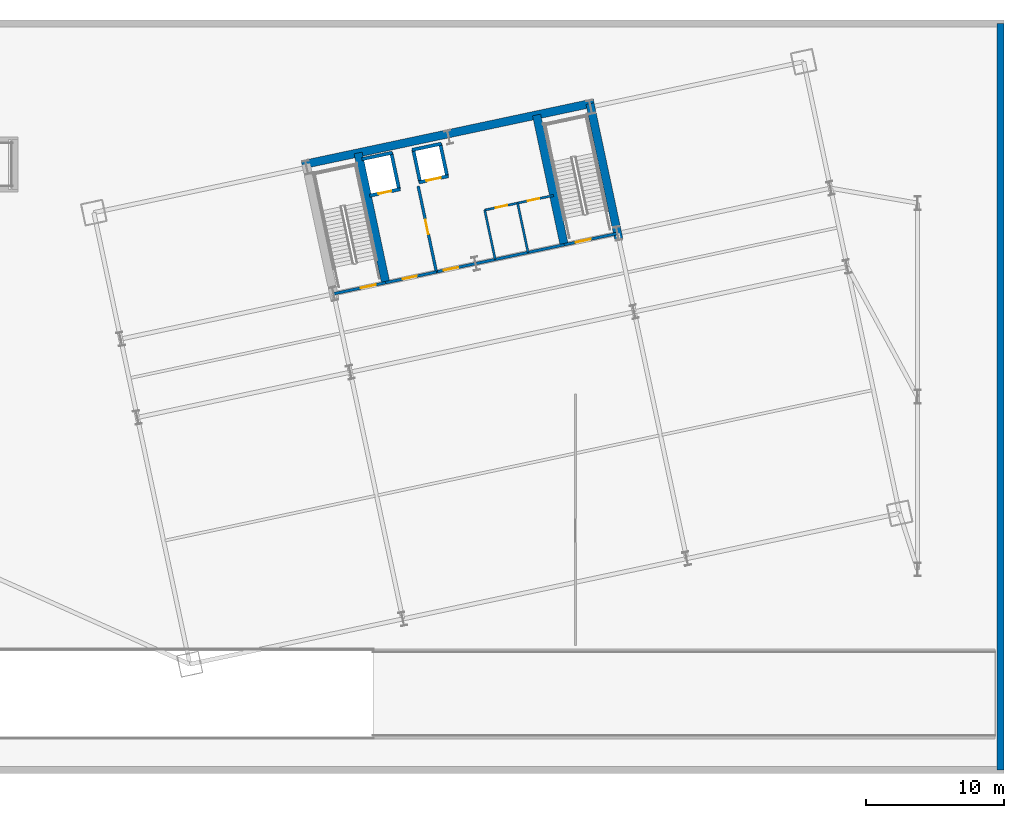
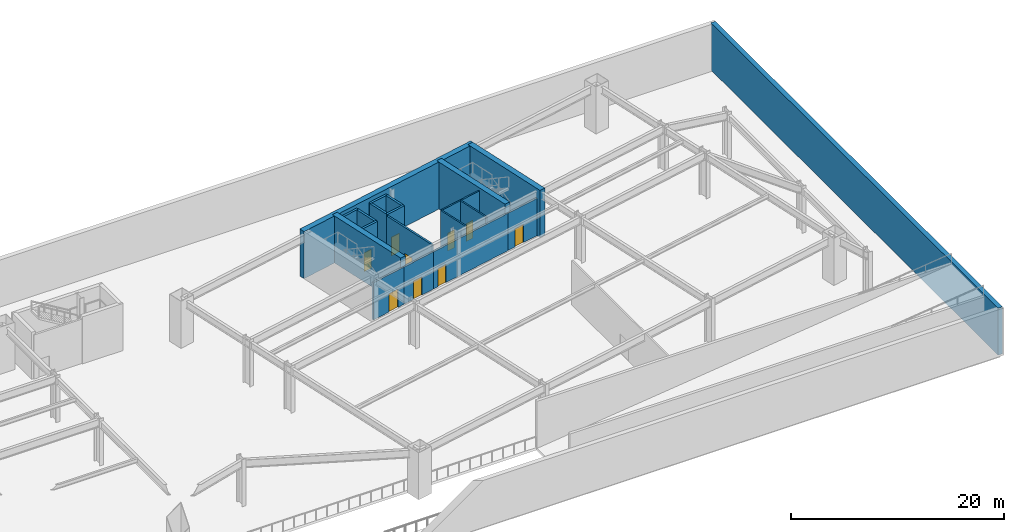
# One storey, part 10 of 16: 20 walls, 9 doors, 9 openings.
"""IFC4 building model written with IfcOpenShell, lengths in metres."""

import ifcopenshell
import ifcopenshell.guid

model = None  # the IFC model being written
_history = None  # IfcOwnerHistory: only IFC2X3 demands one
_inside = {}  # id of a spatial element -> (the spatial element, [elements in it])
_under = {}  # id of a project, library or spatial element -> (it, [spatial elements below it])
_declared = {}  # id of a project -> (the project, [libraries it declares])
_typed = {}  # id of a type object -> (the type object, [elements of that type])
_made_of = {}  # id of a material, layer set ... -> (it, [elements and type objects made of it])


def new_model(schema):
    """Start an empty IFC model of exactly this schema.

    Asked for "IFC4X3", IfcOpenShell would pick the latest addendum, in which some entities
    have other attributes; the version numbers below select the first issue.
    IFC2X3 requires an IfcOwnerHistory on every rooted entity: one is made here for all.
    """
    global model, _history
    if schema == "IFC4X3":
        model = ifcopenshell.file(schema_version=(4, 3, 0, 0))
    else:
        model = ifcopenshell.file(schema=schema)
    _inside.clear()
    _under.clear()
    _declared.clear()
    _typed.clear()
    _made_of.clear()
    _history = None
    if model.schema == "IFC2X3":
        org = make("IfcOrganization", Name="unknown")
        user = make(
            "IfcPersonAndOrganization",
            ThePerson=make("IfcPerson", FamilyName="unknown"),
            TheOrganization=org,
        )
        app = make(
            "IfcApplication",
            ApplicationDeveloper=org,
            Version="unknown",
            ApplicationFullName="unknown",
            ApplicationIdentifier="unknown",
        )
        _history = make(
            "IfcOwnerHistory",
            OwningUser=user,
            OwningApplication=app,
            ChangeAction="ADDED",
            CreationDate=0,
        )
    return model


def make(cls, **values):
    """One entity of the class cls with the attributes given. An attribute that is None is left unset."""
    return model.create_entity(
        cls, **{name: value for name, value in values.items() if value is not None}
    )


def rooted(cls, **values):
    """An entity with a GlobalId (a new one), such as an element, a storey or a relation."""
    return make(cls, GlobalId=ifcopenshell.guid.new(), OwnerHistory=_history, **values)


def si_unit(unit_type, name, prefix=None):
    """IfcSIUnit, for example si_unit("LENGTHUNIT", "METRE", prefix="MILLI")."""
    return make("IfcSIUnit", UnitType=unit_type, Prefix=prefix, Name=name)


def assignment(units):
    """IfcUnitAssignment: the units of a project."""
    return None if units is None else make("IfcUnitAssignment", Units=units)


def point(xyz):
    """IfcCartesianPoint."""
    return None if xyz is None else make("IfcCartesianPoint", Coordinates=xyz)


def direction(xyz):
    """IfcDirection."""
    return None if xyz is None else make("IfcDirection", DirectionRatios=xyz)


def frame(location, z_axis=None, x_axis=None):
    """IfcAxis2Placement3D, a coordinate frame: its origin and axes. An axis left out is left unset."""
    return make(
        "IfcAxis2Placement3D",
        Location=point(location),
        Axis=direction(z_axis),
        RefDirection=direction(x_axis),
    )


def frame_2d(location, x_axis=None):
    """IfcAxis2Placement2D, a coordinate frame in the plane: its origin and x axis."""
    return make(
        "IfcAxis2Placement2D", Location=point(location), RefDirection=direction(x_axis)
    )


def origin():
    """The frame at (0, 0, 0) with its axes left unset."""
    return frame((0.0, 0.0, 0.0))


def place(relative_to, where):
    """IfcLocalPlacement: puts the frame where relative to a parent placement (None: the world)."""
    return make(
        "IfcLocalPlacement", PlacementRelTo=relative_to, RelativePlacement=where
    )


def context(
    kind, dimensions, precision=None, world=None, true_north=None, identifier=None
):
    """IfcGeometricRepresentationContext, for example the 3D "Model" context."""
    return make(
        "IfcGeometricRepresentationContext",
        ContextIdentifier=identifier,
        ContextType=kind,
        CoordinateSpaceDimension=dimensions,
        Precision=precision,
        WorldCoordinateSystem=world,
        TrueNorth=true_north,
    )


def subcontext(parent, identifier, kind, view, scale=None):
    """IfcGeometricRepresentationSubContext, for example "Body" below "Model"."""
    return make(
        "IfcGeometricRepresentationSubContext",
        ContextIdentifier=identifier,
        ContextType=kind,
        ParentContext=parent,
        TargetScale=scale,
        TargetView=view,
    )


def project(units=None, contexts=None):
    """IfcProject with its units and contexts."""
    return rooted(
        "IfcProject",
        Name="project",
        RepresentationContexts=contexts,
        UnitsInContext=assignment(units),
    )


def spatial(cls, under=None, at=None, **own):
    """A site, building, storey or space (cls), placed at a placement, below another one or the project."""
    s = rooted(cls, ObjectPlacement=at, **own)
    if under is not None:
        _under.setdefault(under.id(), (under, []))[1].append(s)
    return s


def profile(cls, at=None, kind="AREA", **sizes):
    """A parametric profile (cls). Its sizes go by their IFC names, for example OverallWidth=200.0."""
    return make(cls, ProfileType=kind, Position=at, **sizes)


def rectangle(**sizes):
    """IfcRectangleProfileDef."""
    return profile("IfcRectangleProfileDef", **sizes)


def extrude(swept, where, along, depth):
    """IfcExtrudedAreaSolid: the profile swept, set in the frame where, extruded along a direction by depth."""
    return make(
        "IfcExtrudedAreaSolid",
        SweptArea=swept,
        Position=where,
        ExtrudedDirection=direction(along),
        Depth=depth,
    )


def shape(context_of_items, identifier, shape_type, items):
    """IfcShapeRepresentation: the items that make up one representation, for example the "Body"."""
    return make(
        "IfcShapeRepresentation",
        ContextOfItems=context_of_items,
        RepresentationIdentifier=identifier,
        RepresentationType=shape_type,
        Items=items,
    )


def material(Name=None, Category=None):
    """IfcMaterial."""
    return make("IfcMaterial", Name=Name, Category=Category)


def layer(
    of_material, thickness, ventilated=None, Name=None, Category=None, Priority=None
):
    """IfcMaterialLayer: one layer of a wall or slab, of a material (None: an air gap)."""
    return make(
        "IfcMaterialLayer",
        Material=of_material,
        LayerThickness=thickness,
        IsVentilated=ventilated,
        Name=Name,
        Category=Category,
        Priority=Priority,
    )


def layer_set(layers, Name=None):
    """IfcMaterialLayerSet."""
    return make("IfcMaterialLayerSet", MaterialLayers=layers, LayerSetName=Name)


def made_of(thing, what):
    """Note that an element or type object is made of a material, layer set ...; save() writes the relation."""
    if what is not None:
        _made_of.setdefault(what.id(), (what, []))[1].append(thing)
    return thing


def type_object(cls, material=None, **own):
    """A type object (cls), such as IfcWallType, which elements share."""
    return made_of(rooted(cls, **own), material)


def element(
    cls,
    number,
    at=None,
    inside=None,
    cuts=None,
    type_object=None,
    material=None,
    context=None,
    identifier="Body",
    shape_type=None,
    held_by="IfcProductDefinitionShape",
    body=None,
    shapes=None,
    **own,
):
    """One element of the class cls, such as IfcWall. Its Tag is "e" and its number.

    at: its placement. inside: the storey or other place that contains it. cuts: it is an
    opening in that element (IfcRelVoidsElement). A single representation is given by context,
    identifier, shape_type and body (its items); several are given by shapes. held_by: the class
    of the entity that holds the representations. save() writes the other relations.
    """
    e = rooted(cls, Tag="e%d" % number, ObjectPlacement=at, **own)
    if body is not None:
        shapes = [shape(context, identifier, shape_type, body)]
    if shapes is not None:
        e.Representation = make(held_by, Representations=shapes)
    if inside is not None:
        _inside.setdefault(inside.id(), (inside, []))[1].append(e)
    if cuts is not None:
        rooted(
            "IfcRelVoidsElement", RelatingBuildingElement=cuts, RelatedOpeningElement=e
        )
    if type_object is not None:
        _typed.setdefault(type_object.id(), (type_object, []))[1].append(e)
    return made_of(e, material)


def fill(opening, filler):
    """IfcRelFillsElement: the door or window that sits in an opening."""
    return rooted(
        "IfcRelFillsElement",
        RelatingOpeningElement=opening,
        RelatedBuildingElement=filler,
    )


def aggregate(whole, parts):
    """IfcRelAggregates: a whole, such as a stair, and the parts it consists of."""
    return rooted("IfcRelAggregates", RelatingObject=whole, RelatedObjects=parts)


def save(model, path):
    """Write the relations noted so far, then the file.

    IfcRelAggregates (storeys below a building ...), IfcRelContainedInSpatialStructure (elements
    in a storey), IfcRelDefinesByType, IfcRelAssociatesMaterial and IfcRelDeclares: one each for
    every whole, place, type object, material and project.
    """
    for whole, parts in _under.values():
        aggregate(whole, parts)
    for where, things in _inside.values():
        rooted(
            "IfcRelContainedInSpatialStructure",
            RelatedElements=things,
            RelatingStructure=where,
        )
    for kind, things in _typed.values():
        rooted("IfcRelDefinesByType", RelatedObjects=things, RelatingType=kind)
    for what, things in _made_of.values():
        rooted("IfcRelAssociatesMaterial", RelatedObjects=things, RelatingMaterial=what)
    for by, libraries in _declared.values():
        rooted("IfcRelDeclares", RelatingContext=by, RelatedDefinitions=libraries)
    model.write(path)


model = new_model("IFC4")

# Units and contexts
model_context = context("Model", 3, precision=1e-05, world=origin(), true_north=direction((0.0, 1.0)))
body_context = subcontext(model_context, "Body", "Model", "MODEL_VIEW")
ifc_project = project(units=[si_unit("LENGTHUNIT", "METRE"), si_unit("AREAUNIT", "SQUARE_METRE"), si_unit("VOLUMEUNIT", "CUBIC_METRE"), si_unit("PLANEANGLEUNIT", "RADIAN"), si_unit("MASSUNIT", "GRAM", prefix="KILO")], contexts=[model_context])

# Site, building, storey
site_placement = place(None, origin())
site = spatial("IfcSite", under=ifc_project, at=site_placement, CompositionType="ELEMENT")
building_placement = place(site_placement, origin())
building = spatial("IfcBuilding", under=site, at=building_placement, Name="Haevon Station Towers", CompositionType="ELEMENT")
storey_placement = place(building_placement, frame((0.0, 0.0, -5.39990234375)))
storey = spatial("IfcBuildingStorey", under=building, at=storey_placement, Name="B01", CompositionType="ELEMENT", Elevation=-5.39990234375)

# Wall, opening, door
ifc_material_1 = material(Name="Gypsum board on steel stud", Category="steel")
ifc_layer_1 = layer(ifc_material_1, 0.199951171875)
ifc_layer_set_1 = layer_set([ifc_layer_1], Name="Gypsum board on steel stud")
wall_type_1 = type_object("IfcWallType", Name="WL-COR200", PredefinedType="PARTITIONING", material=ifc_layer_set_1)
wall_1_placement = place(storey_placement, frame((98.75244140625, 37.4423828125, 0.0), z_axis=(0.0, 0.0, 1.0), x_axis=(0.978143537786, 0.207930804564, 0.0)))
wall_1 = element("IfcWall", 1, at=wall_1_placement, inside=storey, type_object=wall_type_1, Name="WL-ST-ST3-B01", PredefinedType="PARTITIONING", context=body_context, shape_type="SweptSolid", body=[
    extrude(rectangle(XDim=3.85009765625, YDim=0.199951171875, at=frame_2d((1.925048828125, 0.0))), origin(), (0.0, 0.0, 1.0), 4.27978515625),
])
opening_1_placement = place(wall_1_placement, frame((2.0, 0.0, 0.0)))
opening_1 = element("IfcOpeningElement", 2, at=opening_1_placement, cuts=wall_1, Name="Opening DR-ST-ST3-B01", PredefinedType="OPENING", context=body_context, shape_type="SweptSolid", body=[
    extrude(rectangle(XDim=1.1201171875, YDim=2.10009765625, at=frame_2d((0.56005859375, 1.050048828125))), frame((0.0, 0.10986328125, 0.0), z_axis=(0.0, -1.0, 0.0), x_axis=(1.0, 0.0, 0.0)), (0.0, 0.0, 1.0), 0.219970703125),
])
ifc_material_2 = material(Name="Engineered oak timber", Category="wood")
door_type_1 = type_object("IfcDoorType", Name="DR-ST-1120", OperationType="NOTDEFINED", PredefinedType="DOOR", material=ifc_material_2)
door_1_placement = place(opening_1_placement, origin())
door_1 = element("IfcDoor", 3, at=door_1_placement, inside=storey, type_object=door_type_1, Name="B01 Escape Stair ST3 Fire Door", OperationType="SINGLE_SWING_RIGHT", OverallHeight=2.10009765625, OverallWidth=1.1201171875, PredefinedType="DOOR", context=body_context, shape_type="SweptSolid", body=[
    extrude(rectangle(XDim=1.1201171875, YDim=2.10009765625, at=frame_2d((0.56005859375, 1.050048828125))), frame((0.0, 0.02490234375, 0.0), z_axis=(0.0, -1.0, 0.0), x_axis=(1.0, 0.0, 0.0)), (0.0, 0.0, 1.0), 0.050048828125),
])
fill(opening_1, door_1)

wall_2_placement = place(storey_placement, frame((115.4296875, 40.9873046875, 0.0), z_axis=(0.0, 0.0, 1.0), x_axis=(0.978146596989, 0.207916413008, 0.0)))
wall_2 = element("IfcWall", 4, at=wall_2_placement, inside=storey, type_object=wall_type_1, Name="WL-ST-ST4-B01", PredefinedType="PARTITIONING", context=body_context, shape_type="SweptSolid", body=[
    extrude(rectangle(XDim=3.9501953125, YDim=0.199951171875, at=frame_2d((1.97509765625, 0.0))), origin(), (0.0, 0.0, 1.0), 4.27978515625),
])
opening_2_placement = place(wall_2_placement, frame((0.85009765625, 0.0, 0.0)))
opening_2 = element("IfcOpeningElement", 5, at=opening_2_placement, cuts=wall_2, Name="Opening DR-ST-ST4-B01", PredefinedType="OPENING", context=body_context, shape_type="SweptSolid", body=[
    extrude(rectangle(XDim=1.1201171875, YDim=2.10009765625, at=frame_2d((0.56005859375, 1.050048828125))), frame((0.0, 0.10986328125, 0.0), z_axis=(0.0, -1.0, 0.0), x_axis=(1.0, 0.0, 0.0)), (0.0, 0.0, 1.0), 0.219970703125),
])
door_2_placement = place(opening_2_placement, origin())
door_2 = element("IfcDoor", 6, at=door_2_placement, inside=storey, type_object=door_type_1, Name="B01 Escape Stair ST4 Fire Door", OperationType="SINGLE_SWING_LEFT", OverallHeight=2.10009765625, OverallWidth=1.1201171875, PredefinedType="DOOR", context=body_context, shape_type="SweptSolid", body=[
    extrude(rectangle(XDim=1.1201171875, YDim=2.10009765625, at=frame_2d((0.56005859375, 1.050048828125))), frame((0.0, 0.02490234375, 0.0), z_axis=(0.0, -1.0, 0.0), x_axis=(1.0, 0.0, 0.0)), (0.0, 0.0, 1.0), 0.050048828125),
])
fill(opening_2, door_2)

wall_3_placement = place(storey_placement, frame((106.186279296875, 39.0224609375, 0.0), z_axis=(0.0, 0.0, 1.0), x_axis=(-0.207916691923, 0.978146537703, 0.0)))
wall_3 = element("IfcWall", 7, at=wall_3_placement, inside=storey, type_object=wall_type_1, Name="WL-T2FFL-B01-E", PredefinedType="PARTITIONING", context=body_context, shape_type="SweptSolid", body=[
    extrude(rectangle(XDim=6.35009765625, YDim=0.199951171875, at=frame_2d((3.175048828125, 0.0))), origin(), (0.0, 0.0, 1.0), 5.079833984375),
])
opening_3_placement = place(wall_3_placement, frame((2.800048828125, 0.0, 0.0)))
opening_3 = element("IfcOpeningElement", 8, at=opening_3_placement, cuts=wall_3, Name="Opening DR-T2FFL-B01-E", PredefinedType="OPENING", context=body_context, shape_type="SweptSolid", body=[
    extrude(rectangle(XDim=1.050048828125, YDim=2.10009765625, at=frame_2d((0.52490234375, 1.050048828125))), frame((0.0, 0.10986328125, 0.0), z_axis=(0.0, -1.0, 0.0), x_axis=(1.0, 0.0, 0.0)), (0.0, 0.0, 1.0), 0.219970703125),
])
door_type_2 = type_object("IfcDoorType", Name="DR-FD60-1050", OperationType="NOTDEFINED", PredefinedType="DOOR", material=ifc_material_2)
door_3_placement = place(opening_3_placement, origin())
door_3 = element("IfcDoor", 9, at=door_3_placement, inside=storey, type_object=door_type_2, Name="B01 Tower 2 Firefighting Lift Lobby Door E", OperationType="SINGLE_SWING_RIGHT", OverallHeight=2.10009765625, OverallWidth=1.050048828125, PredefinedType="DOOR", context=body_context, shape_type="SweptSolid", body=[
    extrude(rectangle(XDim=1.050048828125, YDim=2.10009765625, at=frame_2d((0.52490234375, 1.050048828125))), frame((0.0, 0.02490234375, 0.0), z_axis=(0.0, -1.0, 0.0), x_axis=(1.0, 0.0, 0.0)), (0.0, 0.0, 1.0), 0.050048828125),
])
fill(opening_3, door_3)

wall_4_placement = place(storey_placement, frame((102.518310546875, 38.242919921875, 0.0), z_axis=(0.0, 0.0, 1.0), x_axis=(0.978153555683, 0.20788367301, 0.0)))
wall_4 = element("IfcWall", 10, at=wall_4_placement, inside=storey, type_object=wall_type_1, Name="WL-T2FFL-B01-S", PredefinedType="PARTITIONING", context=body_context, shape_type="SweptSolid", body=[
    extrude(rectangle(XDim=3.75, YDim=0.199951171875, at=frame_2d((1.875, 0.0))), origin(), (0.0, 0.0, 1.0), 4.27978515625),
])
opening_4_placement = place(wall_4_placement, frame((1.25, 0.0, 0.0)))
opening_4 = element("IfcOpeningElement", 11, at=opening_4_placement, cuts=wall_4, Name="Opening DR-T2FFL-B01-S", PredefinedType="OPENING", context=body_context, shape_type="SweptSolid", body=[
    extrude(rectangle(XDim=1.050048828125, YDim=2.10009765625, at=frame_2d((0.52490234375, 1.050048828125))), frame((0.0, 0.10986328125, 0.0), z_axis=(0.0, -1.0, 0.0), x_axis=(1.0, 0.0, 0.0)), (0.0, 0.0, 1.0), 0.219970703125),
])
door_4_placement = place(opening_4_placement, origin())
door_4 = element("IfcDoor", 12, at=door_4_placement, inside=storey, type_object=door_type_2, Name="B01 Tower 2 Firefighting Lift Lobby Door S", OperationType="SINGLE_SWING_LEFT", OverallHeight=2.10009765625, OverallWidth=1.050048828125, PredefinedType="DOOR", context=body_context, shape_type="SweptSolid", body=[
    extrude(rectangle(XDim=1.050048828125, YDim=2.10009765625, at=frame_2d((0.52490234375, 1.050048828125))), frame((0.0, 0.02490234375, 0.0), z_axis=(0.0, -1.0, 0.0), x_axis=(1.0, 0.0, 0.0)), (0.0, 0.0, 1.0), 0.050048828125),
])
fill(opening_4, door_4)

wall_5_placement = place(storey_placement, frame((106.186279296875, 39.0224609375, 0.0), z_axis=(0.0, 0.0, 1.0), x_axis=(0.978145519981, 0.20792147975, 0.0)))
wall_5 = element("IfcWall", 13, at=wall_5_placement, inside=storey, type_object=wall_type_1, Name="WL-T2CLB-B01", PredefinedType="PARTITIONING", context=body_context, shape_type="SweptSolid", body=[
    extrude(rectangle(XDim=9.449951171875, YDim=0.199951171875, at=frame_2d((4.72509765625, 0.0))), origin(), (0.0, 0.0, 1.0), 4.27978515625),
])
opening_5_placement = place(wall_5_placement, frame((0.550048828125, 0.0, 0.0)))
opening_5 = element("IfcOpeningElement", 14, at=opening_5_placement, cuts=wall_5, Name="Opening DR-T2CLB-B01-1", PredefinedType="OPENING", context=body_context, shape_type="SweptSolid", body=[
    extrude(rectangle(XDim=1.050048828125, YDim=2.10009765625, at=frame_2d((0.52490234375, 1.050048828125))), frame((0.0, 0.10986328125, 0.0), z_axis=(0.0, -1.0, 0.0), x_axis=(1.0, 0.0, 0.0)), (0.0, 0.0, 1.0), 0.219970703125),
])
door_5_placement = place(opening_5_placement, origin())
door_5 = element("IfcDoor", 15, at=door_5_placement, inside=storey, type_object=door_type_2, Name="B01 Tower 2 Core Lift Lobby Door 1", OperationType="SINGLE_SWING_RIGHT", OverallHeight=2.10009765625, OverallWidth=1.050048828125, PredefinedType="DOOR", context=body_context, shape_type="SweptSolid", body=[
    extrude(rectangle(XDim=1.050048828125, YDim=2.10009765625, at=frame_2d((0.52490234375, 1.050048828125))), frame((0.0, 0.02490234375, 0.0), z_axis=(0.0, -1.0, 0.0), x_axis=(1.0, 0.0, 0.0)), (0.0, 0.0, 1.0), 0.050048828125),
])
fill(opening_5, door_5)

# Walls
ifc_material_3 = material(Name="Concrete C60/75", Category="concrete")
ifc_layer_2 = layer(ifc_material_3, 0.60009765625)
ifc_layer_set_2 = layer_set([ifc_layer_2], Name="Concrete C60/75")
wall_type_2 = type_object("IfcWallType", Name="WL-CR600", PredefinedType="SHEAR", material=ifc_layer_set_2)
wall_6_placement = place(storey_placement, frame((96.462890625, 46.770263671875, 0.0), z_axis=(0.0, 0.0, 1.0), x_axis=(0.978147272959, 0.207913232873, 0.0)))
element("IfcWall", 16, at=wall_6_placement, inside=storey, type_object=wall_type_2, Name="WL-T2CR-B01-N", PredefinedType="SHEAR", context=body_context, shape_type="SweptSolid", body=[
    extrude(rectangle(XDim=21.60009765625, YDim=0.60009765625, at=frame_2d((10.800048828125, 0.0))), origin(), (0.0, 0.0, 1.0), 5.39990234375),
])
wall_7_placement = place(storey_placement, frame((119.401611328125, 41.2998046875, 0.0), z_axis=(0.0, 0.0, 1.0), x_axis=(-0.207904342798, 0.978149162575, 0.0)))
element("IfcWall", 17, at=wall_7_placement, inside=storey, type_object=wall_type_2, Name="WL-T2CR-B01-E", PredefinedType="SHEAR", context=body_context, shape_type="SweptSolid", body=[
    extrude(rectangle(XDim=10.1201171875, YDim=0.60009765625, at=frame_2d((5.06005859375, 0.0))), origin(), (0.0, 0.0, 1.0), 5.39990234375),
])
for number, where, z_axis, x_axis, name in (
    (18, (102.518310546875, 38.242919921875, 0.0), (0.0, 0.0, 1.0), (-0.207927495108, 0.978144241295, 0.0), "WL-T2CR-B01-M1"),
    (19, (115.4296875, 40.9873046875, 0.0), (0.0, 0.0, 1.0), (-0.207903162969, 0.978149413345, 0.0), "WL-T2CR-B01-M2"),
):
    element("IfcWall", number, at=place(storey_placement, frame(where, z_axis=z_axis, x_axis=x_axis)), inside=storey, type_object=wall_type_2, Name=name, PredefinedType="SHEAR", context=body_context, shape_type="SweptSolid", body=[
        extrude(rectangle(XDim=9.599853515625, YDim=0.60009765625, at=frame_2d((4.7998046875, 0.0))), origin(), (0.0, 0.0, 1.0), 5.39990234375),
    ])
ifc_layer_3 = layer(ifc_material_1, 0.159912109375)
ifc_layer_set_3 = layer_set([ifc_layer_3], Name="Gypsum board on steel stud")
wall_type_3 = type_object("IfcWallType", Name="WL-PRT160", PredefinedType="PARTITIONING", material=ifc_layer_set_3)
for number, where, z_axis, x_axis, name in (
    (20, (110.441162109375, 39.927001953125, 0.0), (0.0, 0.0, 1.0), (-0.207884354546, 0.978153410838, 0.0), "WL-T2CW-B01-01"),
    (21, (112.818115234375, 40.43212890625, 0.0), (0.0, 0.0, 1.0), (-0.207884354546, 0.978153410838, 0.0), "WL-T2CW-B01-02"),
):
    element("IfcWall", number, at=place(storey_placement, frame(where, z_axis=z_axis, x_axis=x_axis)), inside=storey, type_object=wall_type_3, Name=name, PredefinedType="PARTITIONING", context=body_context, shape_type="SweptSolid", body=[
        extrude(rectangle(XDim=3.650146484375, YDim=0.159912109375, at=frame_2d((1.8251953125, 0.0))), origin(), (0.0, 0.0, 1.0), 5.079833984375),
    ])

# Wall, openings, doors
wall_8_placement = place(storey_placement, frame((109.682373046875, 43.497314453125, 0.0), z_axis=(0.0, 0.0, 1.0), x_axis=(0.978149238447, 0.207903985835, 0.0)))
wall_8 = element("IfcWall", 22, at=wall_8_placement, inside=storey, type_object=wall_type_3, Name="WL-T2CW-B01-03", PredefinedType="PARTITIONING", context=body_context, shape_type="SweptSolid", body=[
    extrude(rectangle(XDim=5.099853515625, YDim=0.159912109375, at=frame_2d((2.5498046875, 0.0))), origin(), (0.0, 0.0, 1.0), 5.079833984375),
])
opening_6_placement = place(wall_8_placement, frame((0.81005859375, 0.0, 0.0)))
opening_6 = element("IfcOpeningElement", 23, at=opening_6_placement, cuts=wall_8, Name="Opening DR-WL-T2CW-B01-03-1", PredefinedType="OPENING", context=body_context, shape_type="SweptSolid", body=[
    extrude(rectangle(XDim=0.85009765625, YDim=2.050048828125, at=frame_2d((0.425048828125, 1.02490234375))), frame((0.0, 0.08984375, 0.0), z_axis=(0.0, -1.0, 0.0), x_axis=(1.0, 0.0, 0.0)), (0.0, 0.0, 1.0), 0.179931640625),
])
opening_7_placement = place(wall_8_placement, frame((3.179931640625, 0.0, 0.0)))
opening_7 = element("IfcOpeningElement", 24, at=opening_7_placement, cuts=wall_8, Name="Opening DR-WL-T2CW-B01-03-2", PredefinedType="OPENING", context=body_context, shape_type="SweptSolid", body=[
    extrude(rectangle(XDim=0.85009765625, YDim=2.050048828125, at=frame_2d((0.425048828125, 1.02490234375))), frame((0.0, 0.08984375, 0.0), z_axis=(0.0, -1.0, 0.0), x_axis=(1.0, 0.0, 0.0)), (0.0, 0.0, 1.0), 0.179931640625),
])
door_type_3 = type_object("IfcDoorType", Name="DR-FD30-850", OperationType="NOTDEFINED", PredefinedType="DOOR", material=ifc_material_2)
door_6_placement = place(opening_6_placement, origin())
door_6 = element("IfcDoor", 25, at=door_6_placement, inside=storey, type_object=door_type_3, Name="B01 Tower 2 Core Room Door 3-1", OperationType="SINGLE_SWING_LEFT", OverallHeight=2.050048828125, OverallWidth=0.85009765625, PredefinedType="DOOR", context=body_context, shape_type="SweptSolid", body=[
    extrude(rectangle(XDim=0.85009765625, YDim=2.050048828125, at=frame_2d((0.425048828125, 1.02490234375))), frame((0.0, 0.02490234375, 0.0), z_axis=(0.0, -1.0, 0.0), x_axis=(1.0, 0.0, 0.0)), (0.0, 0.0, 1.0), 0.050048828125),
])
fill(opening_6, door_6)
door_7_placement = place(opening_7_placement, origin())
door_7 = element("IfcDoor", 26, at=door_7_placement, inside=storey, type_object=door_type_3, Name="B01 Tower 2 Core Room Door 3-2", OperationType="SINGLE_SWING_RIGHT", OverallHeight=2.050048828125, OverallWidth=0.85009765625, PredefinedType="DOOR", context=body_context, shape_type="SweptSolid", body=[
    extrude(rectangle(XDim=0.85009765625, YDim=2.050048828125, at=frame_2d((0.425048828125, 1.02490234375))), frame((0.0, 0.02490234375, 0.0), z_axis=(0.0, -1.0, 0.0), x_axis=(1.0, 0.0, 0.0)), (0.0, 0.0, 1.0), 0.050048828125),
])
fill(opening_7, door_7)

# Wall
ifc_material_4 = material(Name="Concrete C50/60", Category="concrete")
ifc_layer_4 = layer(ifc_material_4, 0.5)
ifc_layer_set_4 = layer_set([ifc_layer_4], Name="Concrete C50/60")
wall_type_4 = type_object("IfcWallType", Name="WL-RET500", PredefinedType="SOLIDWALL", material=ifc_layer_set_4)
wall_9_placement = place(storey_placement, frame((147.0, 3.0, 0.0), z_axis=(0.0, 0.0, 1.0), x_axis=(0.0, 1.0, 0.0)))
element("IfcWall", 27, at=wall_9_placement, inside=storey, type_object=wall_type_4, Name="WL-RET-B01-E", PredefinedType="SOLIDWALL", context=body_context, shape_type="SweptSolid", body=[
    extrude(rectangle(XDim=54.0, YDim=0.5, at=frame_2d((27.0, 0.0))), origin(), (0.0, 0.0, 1.0), 5.39990234375),
])

# Wall, opening, door
ifc_material_5 = material(Name="Concrete C40/50", Category="concrete")
ifc_layer_5 = layer(ifc_material_5, 0.239990234375)
ifc_layer_set_5 = layer_set([ifc_layer_5], Name="Concrete C40/50")
wall_type_5 = type_object("IfcWallType", Name="WL-SHF240", PredefinedType="PARTITIONING", material=ifc_layer_set_5)
wall_10_placement = place(storey_placement, frame((101.353759765625, 44.538330078125, 0.0), z_axis=(0.0, 0.0, 1.0), x_axis=(0.978141002414, 0.207942731049, 0.0)))
wall_10 = element("IfcWall", 28, at=wall_10_placement, inside=storey, type_object=wall_type_5, Name="WL-SHF-FL2-B01", PredefinedType="PARTITIONING", context=body_context, shape_type="SweptSolid", body=[
    extrude(rectangle(XDim=2.260009765625, YDim=0.239990234375, at=frame_2d((1.1298828125, 0.0))), origin(), (0.0, 0.0, 1.0), 5.079833984375),
])
opening_8_placement = place(wall_10_placement, frame((0.655029296875, 0.0, 0.0)))
opening_8 = element("IfcOpeningElement", 29, at=opening_8_placement, cuts=wall_10, Name="Opening LD-FL2-B01", PredefinedType="OPENING", context=body_context, shape_type="SweptSolid", body=[
    extrude(rectangle(XDim=0.949951171875, YDim=2.14990234375, at=frame_2d((0.47509765625, 1.074951171875))), frame((0.0, 0.1298828125, 0.0), z_axis=(0.0, -1.0, 0.0), x_axis=(1.0, 0.0, 0.0)), (0.0, 0.0, 1.0), 0.260009765625),
])
ifc_material_6 = material(Name="Stainless steel and rated core", Category="steel")
door_type_4 = type_object("IfcDoorType", Name="LD-FL950", OperationType="SLIDING_TO_LEFT", PredefinedType="DOOR", material=ifc_material_6)
door_8_placement = place(opening_8_placement, origin())
door_8 = element("IfcDoor", 30, at=door_8_placement, inside=storey, type_object=door_type_4, Name="B01 Lift FL2 Sliding Landing Door", OperationType="SLIDING_TO_LEFT", OverallHeight=2.14990234375, OverallWidth=0.949951171875, PredefinedType="DOOR", context=body_context, shape_type="SweptSolid", body=[
    extrude(rectangle(XDim=0.949951171875, YDim=2.14990234375, at=frame_2d((0.47509765625, 1.074951171875))), frame((0.0, 0.02490234375, 0.0), z_axis=(0.0, -1.0, 0.0), x_axis=(1.0, 0.0, 0.0)), (0.0, 0.0, 1.0), 0.050048828125),
])
fill(opening_8, door_8)

# Walls
wall_11_placement = place(storey_placement, frame((100.79248046875, 47.179443359375, 0.0), z_axis=(0.0, 0.0, 1.0), x_axis=(0.978162968872, 0.207839376268, 0.0)))
element("IfcWall", 31, at=wall_11_placement, inside=storey, type_object=wall_type_5, Name="WL-SHF-FL2-B01-N", PredefinedType="PARTITIONING", context=body_context, shape_type="SweptSolid", body=[
    extrude(rectangle(XDim=2.260009765625, YDim=0.239990234375, at=frame_2d((1.1298828125, 0.0))), origin(), (0.0, 0.0, 1.0), 5.079833984375),
])
wall_12_placement = place(storey_placement, frame((103.486328125, 44.99169921875, 0.0), z_axis=(0.0, 0.0, 1.0), x_axis=(-0.207978798957, 0.978133334052, 0.0)))
element("IfcWall", 32, at=wall_12_placement, inside=storey, type_object=wall_type_5, Name="WL-SHF-FL2-B01-E", PredefinedType="PARTITIONING", context=body_context, shape_type="SweptSolid", body=[
    extrude(rectangle(XDim=2.699951171875, YDim=0.239990234375, at=frame_2d((1.35009765625, 0.0))), origin(), (0.0, 0.0, 1.0), 5.079833984375),
])

# Wall, opening, door
wall_13_placement = place(storey_placement, frame((104.931396484375, 45.503173828125, 0.0), z_axis=(0.0, 0.0, 1.0), x_axis=(0.97813528961, 0.207969601673, 0.0)))
wall_13 = element("IfcWall", 33, at=wall_13_placement, inside=storey, type_object=wall_type_5, Name="WL-SHF-PL7-B01", PredefinedType="PARTITIONING", context=body_context, shape_type="SweptSolid", body=[
    extrude(rectangle(XDim=2.159912109375, YDim=0.239990234375, at=frame_2d((1.080078125, 0.0))), origin(), (0.0, 0.0, 1.0), 5.079833984375),
])
opening_9_placement = place(wall_13_placement, frame((0.554931640625, 0.0, 0.0)))
opening_9 = element("IfcOpeningElement", 34, at=opening_9_placement, cuts=wall_13, Name="Opening LD-PL7-B01", PredefinedType="OPENING", context=body_context, shape_type="SweptSolid", body=[
    extrude(rectangle(XDim=1.050048828125, YDim=2.14990234375, at=frame_2d((0.52490234375, 1.074951171875))), frame((0.0, 0.1298828125, 0.0), z_axis=(0.0, -1.0, 0.0), x_axis=(1.0, 0.0, 0.0)), (0.0, 0.0, 1.0), 0.260009765625),
])
door_type_5 = type_object("IfcDoorType", Name="LD-PL1050", OperationType="SLIDING_TO_LEFT", PredefinedType="DOOR", material=ifc_material_6)
door_9_placement = place(opening_9_placement, origin())
door_9 = element("IfcDoor", 35, at=door_9_placement, inside=storey, type_object=door_type_5, Name="B01 Lift PL7 Sliding Landing Door", OperationType="SLIDING_TO_LEFT", OverallHeight=2.14990234375, OverallWidth=1.050048828125, PredefinedType="DOOR", context=body_context, shape_type="SweptSolid", body=[
    extrude(rectangle(XDim=1.050048828125, YDim=2.14990234375, at=frame_2d((0.52490234375, 1.074951171875))), frame((0.0, 0.02490234375, 0.0), z_axis=(0.0, -1.0, 0.0), x_axis=(1.0, 0.0, 0.0)), (0.0, 0.0, 1.0), 0.050048828125),
])
fill(opening_9, door_9)

# Walls
wall_14_placement = place(storey_placement, frame((104.432373046875, 47.850830078125, 0.0), z_axis=(0.0, 0.0, 1.0), x_axis=(0.978158276388, 0.207861459473, 0.0)))
element("IfcWall", 36, at=wall_14_placement, inside=storey, type_object=wall_type_5, Name="WL-SHF-PL7-B01-N", PredefinedType="PARTITIONING", context=body_context, shape_type="SweptSolid", body=[
    extrude(rectangle(XDim=2.159912109375, YDim=0.239990234375, at=frame_2d((1.080078125, 0.0))), origin(), (0.0, 0.0, 1.0), 5.079833984375),
])
wall_15_placement = place(storey_placement, frame((105.009765625, 45.519775390625, 0.0), z_axis=(0.0, 0.0, 1.0), x_axis=(-0.207917150959, 0.978146440129, 0.0)))
element("IfcWall", 37, at=wall_15_placement, inside=storey, type_object=wall_type_5, Name="WL-SHF-PL7-B01-W", PredefinedType="PARTITIONING", context=body_context, shape_type="SweptSolid", body=[
    extrude(rectangle(XDim=2.400146484375, YDim=0.239990234375, at=frame_2d((1.2001953125, 0.0))), origin(), (0.0, 0.0, 1.0), 5.079833984375),
])
wall_16_placement = place(storey_placement, frame((106.966064453125, 45.935791015625, 0.0), z_axis=(0.0, 0.0, 1.0), x_axis=(-0.207937840262, 0.978142042133, 0.0)))
element("IfcWall", 38, at=wall_16_placement, inside=storey, type_object=wall_type_5, Name="WL-SHF-PL7-B01-E", PredefinedType="PARTITIONING", context=body_context, shape_type="SweptSolid", body=[
    extrude(rectangle(XDim=2.39990234375, YDim=0.239990234375, at=frame_2d((1.199951171875, 0.0))), origin(), (0.0, 0.0, 1.0), 5.079833984375),
])

save(model, "model.ifc")
